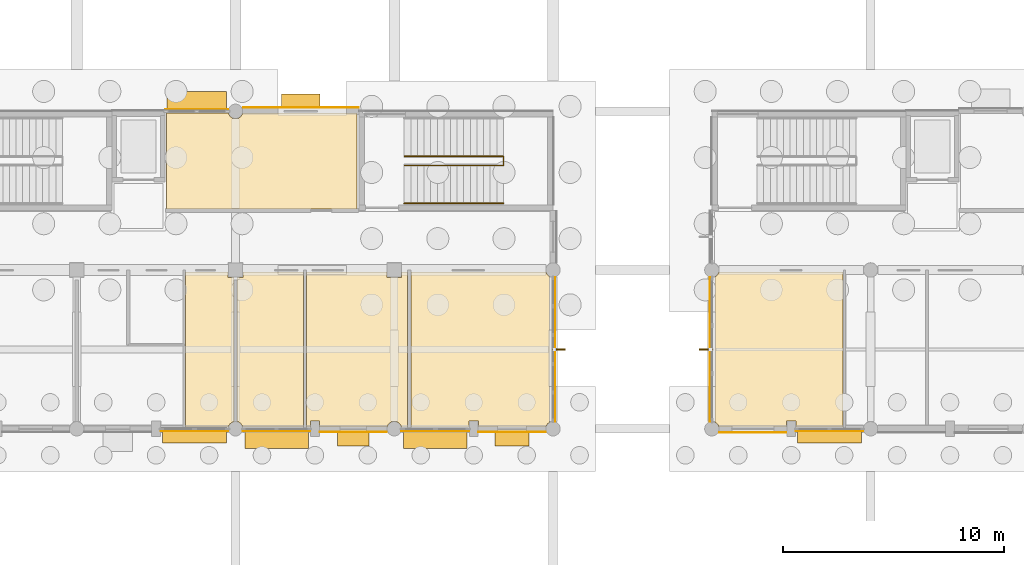
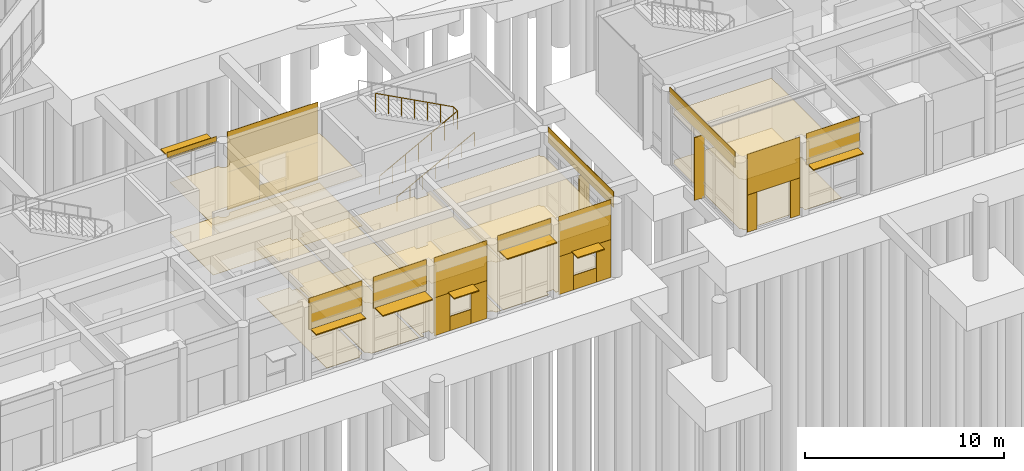
# One storey, part 82 of 103: 34 coverings, 10 shading devices, 2 railings.
"""IFC4 building model written with IfcOpenShell, lengths in metres."""

from ifc_helpers import new_model, si_unit, direction, frame, origin, origin_2d, place, context, subcontext, project, spatial, polyline, rectangle, circle, outline, extrude, material, layer, layer_set, type_object, element, save


model = new_model("IFC4")

# Units and contexts
model_context = context("Model", 3, precision=1e-05, world=origin(), true_north=direction((0.0, 1.0)))
body_context = subcontext(model_context, "Body", "Model", "MODEL_VIEW")
ifc_project = project(units=[si_unit("LENGTHUNIT", "METRE"), si_unit("AREAUNIT", "SQUARE_METRE"), si_unit("VOLUMEUNIT", "CUBIC_METRE"), si_unit("PLANEANGLEUNIT", "RADIAN"), si_unit("MASSUNIT", "GRAM", prefix="KILO")], contexts=[model_context])

# Site, building, storey
site_placement = place(None, origin())
site = spatial("IfcSite", under=ifc_project, at=site_placement, CompositionType="ELEMENT")
building_placement = place(site_placement, origin())
building = spatial("IfcBuilding", under=site, at=building_placement, Name="Namkhue Oval Health Centre", CompositionType="ELEMENT")
storey_placement = place(building_placement, origin())
storey = spatial("IfcBuildingStorey", under=building, at=storey_placement, Name="L00", CompositionType="ELEMENT", Elevation=0.0)

# Coverings
ifc_material_1 = material(Name="Acoustic mineral-fibre cleanroom ceiling", Category="gypsum")
ifc_layer_1 = layer(ifc_material_1, 0.02001953125)
ifc_layer_set_1 = layer_set([ifc_layer_1], Name="Acoustic mineral-fibre cleanroom ceiling")
covering_type_1 = type_object("IfcCoveringType", Name="ACOUSTIC CLEANROOM CEILING 20", PredefinedType="CEILING", material=ifc_layer_set_1)
covering_1_placement = place(storey_placement, frame((0.0, 0.0, 3.050048828125)))
element("IfcCovering", 1, at=covering_1_placement, inside=storey, type_object=covering_type_1, Name="Acoustic Ceiling L00-405 Emergency Staff Washroom", PredefinedType="CEILING", context=body_context, shape_type="SweptSolid", body=[
    extrude(outline(polyline([(69.739990234375, 14.485107421875), (69.739990234375, 21.52001953125), (71.6650390625, 21.52001953125), (71.6650390625, 21.264892578125), (71.929931640625, 21.264892578125), (71.929931640625, 14.725830078125), (71.913330078125, 14.7236328125), (71.83251953125, 14.690185546875), (71.76318359375, 14.636962890625), (71.7099609375, 14.5673828125), (71.67626953125, 14.485107421875), (69.739990234375, 14.485107421875)])), origin(), (0.0, 0.0, 1.0), 0.02001953125),
])
covering_2_placement = place(storey_placement, frame((0.0, 0.0, 3.050048828125)))
element("IfcCovering", 2, at=covering_2_placement, inside=storey, type_object=covering_type_1, Name="Acoustic Ceiling L00-406 Medical Gas Plant Room", PredefinedType="CEILING", context=body_context, shape_type="SweptSolid", body=[
    extrude(outline(polyline([(72.32373046875, 14.485107421875), (72.2900390625, 14.5673828125), (72.23681640625, 14.636962890625), (72.16748046875, 14.690185546875), (72.086669921875, 14.7236328125), (72.070068359375, 14.725830078125), (72.070068359375, 21.264892578125), (72.3349609375, 21.264892578125), (72.3349609375, 21.52001953125), (75.080078125, 21.52001953125), (75.080078125, 14.485107421875), (72.32373046875, 14.485107421875)])), origin(), (0.0, 0.0, 1.0), 0.02001953125),
])
covering_3_placement = place(storey_placement, frame((0.0, 0.0, 3.050048828125)))
element("IfcCovering", 3, at=covering_3_placement, inside=storey, type_object=covering_type_1, Name="Acoustic Ceiling L00-407 Acute Observation Ward", PredefinedType="CEILING", context=body_context, shape_type="SweptSolid", body=[
    extrude(outline(polyline([(79.523681640625, 14.485107421875), (79.489990234375, 14.5673828125), (79.43701171875, 14.636962890625), (79.367431640625, 14.690185546875), (79.28662109375, 14.7236328125), (79.199951171875, 14.735107421875), (79.11328125, 14.7236328125), (79.032470703125, 14.690185546875), (78.963134765625, 14.636962890625), (78.909912109375, 14.5673828125), (78.876220703125, 14.485107421875), (75.81005859375, 14.485107421875), (75.81005859375, 14.760009765625), (75.389892578125, 14.760009765625), (75.389892578125, 14.485107421875), (75.219970703125, 14.485107421875), (75.219970703125, 21.52001953125), (78.864990234375, 21.52001953125), (78.864990234375, 21.264892578125), (79.534912109375, 21.264892578125), (79.534912109375, 21.52001953125), (79.81005859375, 21.52001953125), (79.81005859375, 14.485107421875), (79.523681640625, 14.485107421875)])), origin(), (0.0, 0.0, 1.0), 0.02001953125),
])
covering_4_placement = place(storey_placement, frame((0.0, 0.0, 3.050048828125)))
element("IfcCovering", 4, at=covering_4_placement, inside=storey, type_object=covering_type_1, Name="Acoustic Ceiling L00-408 Emergency Resuscitation Bay", PredefinedType="CEILING", context=body_context, shape_type="SweptSolid", body=[
    extrude(outline(polyline([(83.010009765625, 14.485107421875), (83.010009765625, 14.760009765625), (82.590087890625, 14.760009765625), (82.590087890625, 14.485107421875), (79.949951171875, 14.485107421875), (79.949951171875, 21.52001953125), (86.075439453125, 21.52001953125), (86.10986328125, 21.4326171875), (86.1630859375, 21.363037109375), (86.232421875, 21.309814453125), (86.2451171875, 21.3046875), (86.2451171875, 14.6953125), (86.232421875, 14.690185546875), (86.1630859375, 14.636962890625), (86.10986328125, 14.5673828125), (86.076171875, 14.485107421875), (83.010009765625, 14.485107421875)])), origin(), (0.0, 0.0, 1.0), 0.02001953125),
])
covering_5_placement = place(storey_placement, frame((0.0, 0.0, 3.050048828125)))
element("IfcCovering", 5, at=covering_5_placement, inside=storey, type_object=covering_type_1, Name="Acoustic Ceiling L00-412 Rapid Diagnostics Point Care Lab", PredefinedType="CEILING", context=body_context, shape_type="SweptSolid", body=[
    extrude(outline(polyline([(68.8798828125, 24.3798828125), (68.8798828125, 28.715087890625), (71.67626953125, 28.715087890625), (71.7099609375, 28.632568359375), (71.76318359375, 28.56298828125), (71.83251953125, 28.510009765625), (71.913330078125, 28.476318359375), (72.0, 28.465087890625), (72.086669921875, 28.476318359375), (72.16748046875, 28.510009765625), (72.23681640625, 28.56298828125), (72.2900390625, 28.632568359375), (72.32373046875, 28.715087890625), (77.52001953125, 28.715087890625), (77.52001953125, 24.3798828125), (68.8798828125, 24.3798828125)])), origin(), (0.0, 0.0, 1.0), 0.02001953125),
])
covering_6_placement = place(storey_placement, frame((0.0, 0.0, 3.050048828125)))
element("IfcCovering", 6, at=covering_6_placement, inside=storey, type_object=covering_type_1, Name="Acoustic Ceiling L00-501 Dental Clinic Reception", PredefinedType="CEILING", context=body_context, shape_type="SweptSolid", body=[
    extrude(outline(polyline([(97.409912109375, 14.485107421875), (97.409912109375, 14.760009765625), (96.989990234375, 14.760009765625), (96.989990234375, 14.485107421875), (93.923828125, 14.485107421875), (93.89013671875, 14.5673828125), (93.8369140625, 14.636962890625), (93.767578125, 14.690185546875), (93.7548828125, 14.6953125), (93.7548828125, 21.3046875), (93.767578125, 21.309814453125), (93.8369140625, 21.363037109375), (93.89013671875, 21.4326171875), (93.924560546875, 21.52001953125), (99.547119140625, 21.52001953125), (99.547119140625, 14.485107421875), (97.409912109375, 14.485107421875)])), origin(), (0.0, 0.0, 1.0), 0.02001953125),
])
ifc_material_2 = material(Name="Homogeneous anti-bacterial clinical vinyl flooring", Category="plastic")
ifc_layer_2 = layer(ifc_material_2, 0.014892578125)
ifc_layer_set_2 = layer_set([ifc_layer_2], Name="Homogeneous anti-bacterial clinical vinyl flooring")
covering_type_2 = type_object("IfcCoveringType", Name="CLINICAL ANTIBACTERIAL VINYL FLOORING 15", PredefinedType="FLOORING", material=ifc_layer_set_2)
covering_7_placement = place(storey_placement, origin())
element("IfcCovering", 7, at=covering_7_placement, inside=storey, type_object=covering_type_2, Name="Clinical Flooring L00-405 Emergency Staff Washroom", PredefinedType="FLOORING", context=body_context, shape_type="SweptSolid", body=[
    extrude(outline(polyline([(69.739990234375, 14.485107421875), (69.739990234375, 21.52001953125), (71.6650390625, 21.52001953125), (71.6650390625, 21.264892578125), (71.929931640625, 21.264892578125), (71.929931640625, 14.725830078125), (71.913330078125, 14.7236328125), (71.83251953125, 14.690185546875), (71.76318359375, 14.636962890625), (71.7099609375, 14.5673828125), (71.67626953125, 14.485107421875), (69.739990234375, 14.485107421875)])), origin(), (0.0, 0.0, 1.0), 0.014892578125),
])
covering_8_placement = place(storey_placement, origin())
element("IfcCovering", 8, at=covering_8_placement, inside=storey, type_object=covering_type_2, Name="Clinical Flooring L00-406 Medical Gas Plant Room", PredefinedType="FLOORING", context=body_context, shape_type="SweptSolid", body=[
    extrude(outline(polyline([(72.32373046875, 14.485107421875), (72.2900390625, 14.5673828125), (72.23681640625, 14.636962890625), (72.16748046875, 14.690185546875), (72.086669921875, 14.7236328125), (72.070068359375, 14.725830078125), (72.070068359375, 21.264892578125), (72.3349609375, 21.264892578125), (72.3349609375, 21.52001953125), (75.080078125, 21.52001953125), (75.080078125, 14.485107421875), (72.32373046875, 14.485107421875)])), origin(), (0.0, 0.0, 1.0), 0.014892578125),
])
covering_9_placement = place(storey_placement, origin())
element("IfcCovering", 9, at=covering_9_placement, inside=storey, type_object=covering_type_2, Name="Clinical Flooring L00-407 Acute Observation Ward", PredefinedType="FLOORING", context=body_context, shape_type="SweptSolid", body=[
    extrude(outline(polyline([(79.523681640625, 14.485107421875), (79.489990234375, 14.5673828125), (79.43701171875, 14.636962890625), (79.367431640625, 14.690185546875), (79.28662109375, 14.7236328125), (79.199951171875, 14.735107421875), (79.11328125, 14.7236328125), (79.032470703125, 14.690185546875), (78.963134765625, 14.636962890625), (78.909912109375, 14.5673828125), (78.876220703125, 14.485107421875), (75.81005859375, 14.485107421875), (75.81005859375, 14.760009765625), (75.389892578125, 14.760009765625), (75.389892578125, 14.485107421875), (75.219970703125, 14.485107421875), (75.219970703125, 21.52001953125), (78.864990234375, 21.52001953125), (78.864990234375, 21.264892578125), (79.534912109375, 21.264892578125), (79.534912109375, 21.52001953125), (79.81005859375, 21.52001953125), (79.81005859375, 14.485107421875), (79.523681640625, 14.485107421875)])), origin(), (0.0, 0.0, 1.0), 0.014892578125),
])
covering_10_placement = place(storey_placement, origin())
element("IfcCovering", 10, at=covering_10_placement, inside=storey, type_object=covering_type_2, Name="Clinical Flooring L00-408 Emergency Resuscitation Bay", PredefinedType="FLOORING", context=body_context, shape_type="SweptSolid", body=[
    extrude(outline(polyline([(83.010009765625, 14.485107421875), (83.010009765625, 14.760009765625), (82.590087890625, 14.760009765625), (82.590087890625, 14.485107421875), (79.949951171875, 14.485107421875), (79.949951171875, 21.52001953125), (86.075439453125, 21.52001953125), (86.10986328125, 21.4326171875), (86.1630859375, 21.363037109375), (86.232421875, 21.309814453125), (86.2451171875, 21.3046875), (86.2451171875, 14.6953125), (86.232421875, 14.690185546875), (86.1630859375, 14.636962890625), (86.10986328125, 14.5673828125), (86.076171875, 14.485107421875), (83.010009765625, 14.485107421875)])), origin(), (0.0, 0.0, 1.0), 0.014892578125),
])
covering_11_placement = place(storey_placement, origin())
element("IfcCovering", 11, at=covering_11_placement, inside=storey, type_object=covering_type_2, Name="Clinical Flooring L00-412 Rapid Diagnostics Point Care Lab", PredefinedType="FLOORING", context=body_context, shape_type="SweptSolid", body=[
    extrude(outline(polyline([(68.8798828125, 24.3798828125), (68.8798828125, 28.715087890625), (71.67626953125, 28.715087890625), (71.7099609375, 28.632568359375), (71.76318359375, 28.56298828125), (71.83251953125, 28.510009765625), (71.913330078125, 28.476318359375), (72.0, 28.465087890625), (72.086669921875, 28.476318359375), (72.16748046875, 28.510009765625), (72.23681640625, 28.56298828125), (72.2900390625, 28.632568359375), (72.32373046875, 28.715087890625), (77.52001953125, 28.715087890625), (77.52001953125, 24.3798828125), (68.8798828125, 24.3798828125)])), origin(), (0.0, 0.0, 1.0), 0.014892578125),
])
covering_12_placement = place(storey_placement, origin())
element("IfcCovering", 12, at=covering_12_placement, inside=storey, type_object=covering_type_2, Name="Clinical Flooring L00-501 Dental Clinic Reception", PredefinedType="FLOORING", context=body_context, shape_type="SweptSolid", body=[
    extrude(outline(polyline([(97.409912109375, 14.485107421875), (97.409912109375, 14.760009765625), (96.989990234375, 14.760009765625), (96.989990234375, 14.485107421875), (93.923828125, 14.485107421875), (93.89013671875, 14.5673828125), (93.8369140625, 14.636962890625), (93.767578125, 14.690185546875), (93.7548828125, 14.6953125), (93.7548828125, 21.3046875), (93.767578125, 21.309814453125), (93.8369140625, 21.363037109375), (93.89013671875, 21.4326171875), (93.924560546875, 21.52001953125), (99.547119140625, 21.52001953125), (99.547119140625, 14.485107421875), (97.409912109375, 14.485107421875)])), origin(), (0.0, 0.0, 1.0), 0.014892578125),
])

# Railings
ifc_material_3 = material(Name="Brushed stainless steel 316L balustrade with laminated glass infill", Category="steel")
railing_type_1 = type_object("IfcRailingType", Name="INTERIOR BALUSTRADE GUARD 1150", PredefinedType="BALUSTRADE", material=ifc_material_3)
railing_1_placement = place(storey_placement, frame((79.64990234375, 26.340087890625, 0.0)))
element("IfcRailing", 13, at=railing_1_placement, inside=storey, type_object=railing_type_1, Name="Stair ST-08 L00 Inner Well Guard", PredefinedType="BALUSTRADE", context=body_context, shape_type="SweptSolid", body=[
    extrude(circle(Radius=0.02392578125, at=origin_2d()), frame((0.0, 0.0, 1.1259765625), z_axis=(0.882360891967, 0.0, 0.470573327259), x_axis=(0.0, 1.0, 0.0)), (0.0, 0.0, 1.0), 5.099853515625),
    extrude(circle(Radius=0.02392578125, at=origin_2d()), frame((4.5, 0.0, 3.52587890625), z_axis=(0.0, 1.0, 0.0), x_axis=(-1.0, 0.0, 0.0)), (0.0, 0.0, 1.0), 0.419921875),
    extrude(circle(Radius=0.02392578125, at=origin_2d()), frame((4.5, 0.419921875, 3.52587890625), z_axis=(-0.882341014787, 0.0, 0.470610596591), x_axis=(0.0, -1.0, 0.0)), (0.0, 0.0, 1.0), 5.10009765625),
    extrude(circle(Radius=0.02099609375, at=origin_2d()), origin(), (0.0, 0.0, 1.0), 1.101806640625),
    extrude(circle(Radius=0.02099609375, at=origin_2d()), frame((0.75, 0.0, 0.39990234375)), (0.0, 0.0, 1.0), 1.101806640625),
    extrude(circle(Radius=0.02099609375, at=origin_2d()), frame((1.5, 0.0, 0.800048828125)), (0.0, 0.0, 1.0), 1.101806640625),
    extrude(circle(Radius=0.02099609375, at=origin_2d()), frame((2.25, 0.0, 1.199951171875)), (0.0, 0.0, 1.0), 1.101806640625),
    extrude(circle(Radius=0.02099609375, at=origin_2d()), frame((3.0, 0.0, 1.599853515625)), (0.0, 0.0, 1.0), 1.101806640625),
    extrude(circle(Radius=0.02099609375, at=origin_2d()), frame((3.75, 0.0, 2.0)), (0.0, 0.0, 1.0), 1.101806640625),
    extrude(circle(Radius=0.02099609375, at=origin_2d()), frame((4.5, 0.0, 2.39990234375)), (0.0, 0.0, 1.0), 1.101806640625),
    extrude(circle(Radius=0.02099609375, at=origin_2d()), frame((4.5, 0.419921875, 2.39990234375)), (0.0, 0.0, 1.0), 1.101806640625),
    extrude(circle(Radius=0.02099609375, at=origin_2d()), frame((3.75, 0.419921875, 2.7998046875)), (0.0, 0.0, 1.0), 1.101806640625),
    extrude(circle(Radius=0.02099609375, at=origin_2d()), frame((3.0, 0.419921875, 3.199951171875)), (0.0, 0.0, 1.0), 1.101806640625),
    extrude(circle(Radius=0.02099609375, at=origin_2d()), frame((2.25, 0.419921875, 3.60009765625)), (0.0, 0.0, 1.0), 1.101806640625),
    extrude(circle(Radius=0.02099609375, at=origin_2d()), frame((1.5, 0.419921875, 4.0)), (0.0, 0.0, 1.0), 1.101806640625),
    extrude(circle(Radius=0.02099609375, at=origin_2d()), frame((0.75, 0.419921875, 4.39990234375)), (0.0, 0.0, 1.0), 1.101806640625),
    extrude(circle(Radius=0.02099609375, at=origin_2d()), frame((0.0, 0.419921875, 4.800048828125)), (0.0, 0.0, 1.0), 1.101806640625),
])
ifc_material_4 = material(Name="Brushed stainless steel 304 tubular handrail", Category="steel")
railing_type_2 = type_object("IfcRailingType", Name="INTERIOR STAIR HANDRAIL 900", PredefinedType="HANDRAIL", material=ifc_material_4)
railing_2_placement = place(storey_placement, frame((79.64990234375, 24.6201171875, 0.0)))
element("IfcRailing", 14, at=railing_2_placement, inside=storey, type_object=railing_type_2, Name="Stair ST-08 L00 Flight 1 Handrail", PredefinedType="HANDRAIL", context=body_context, shape_type="SweptSolid", body=[
    extrude(circle(Radius=0.02392578125, at=origin_2d()), frame((0.0, 0.0, 0.8759765625), z_axis=(0.882360891967, 0.0, 0.470573327259), x_axis=(0.0, 1.0, 0.0)), (0.0, 0.0, 1.0), 5.099853515625),
    extrude(circle(Radius=0.02099609375, at=origin_2d()), origin(), (0.0, 0.0, 1.0), 0.851806640625),
    extrude(circle(Radius=0.02099609375, at=origin_2d()), frame((0.75, 0.0, 0.39990234375)), (0.0, 0.0, 1.0), 0.851806640625),
    extrude(circle(Radius=0.02099609375, at=origin_2d()), frame((1.5, 0.0, 0.800048828125)), (0.0, 0.0, 1.0), 0.851806640625),
    extrude(circle(Radius=0.02099609375, at=origin_2d()), frame((2.25, 0.0, 1.199951171875)), (0.0, 0.0, 1.0), 0.851806640625),
    extrude(circle(Radius=0.02099609375, at=origin_2d()), frame((3.0, 0.0, 1.599853515625)), (0.0, 0.0, 1.0), 0.851806640625),
    extrude(circle(Radius=0.02099609375, at=origin_2d()), frame((3.75, 0.0, 2.0)), (0.0, 0.0, 1.0), 0.851806640625),
    extrude(circle(Radius=0.02099609375, at=origin_2d()), frame((4.5, 0.0, 2.39990234375)), (0.0, 0.0, 1.0), 0.851806640625),
])

# Shading devices
ifc_material_5 = material(Name="Anodised aluminium EN AW-6063 T6", Category="aluminium")
ifc_layer_3 = layer(ifc_material_5, 0.06005859375)
ifc_layer_set_3 = layer_set([ifc_layer_3], Name="Anodised aluminium EN AW-6063 T6")
shading_device_type_1 = type_object("IfcShadingDeviceType", Name="MONSOON SUN LOUVRE 900", PredefinedType="JALOUSIE", material=ifc_layer_set_3)
for number, where, z_axis, x_axis, name in (
    (15, (73.862060546875, 13.949951171875, 2.830078125), (0.0, 0.0, 1.0), (1.0, 0.0, 0.0), "Volume V4 L00 Horizontal Monsoon Sun Louvre 182"),
    (16, (81.06201171875, 13.949951171875, 3.7900390625), (0.0, 0.0, 1.0), (1.0, 0.0, 0.0), "Volume V4 L00 Horizontal Monsoon Sun Louvre 184"),
):
    element("IfcShadingDevice", number, at=place(storey_placement, frame(where, z_axis=z_axis, x_axis=x_axis)), inside=storey, type_object=shading_device_type_1, Name=name, PredefinedType="JALOUSIE", context=body_context, shape_type="SweptSolid", body=[
        extrude(rectangle(XDim=2.884033203125, YDim=0.89990234375, at=origin_2d()), origin(), (0.0, 0.0, 1.0), 0.06005859375),
    ])
shading_device_1_placement = place(storey_placement, frame((70.240966796875, 29.25, 4.43994140625), z_axis=(0.0, 0.0, 1.0), x_axis=(-1.0, 0.0, 0.0)))
element("IfcShadingDevice", 17, at=shading_device_1_placement, inside=storey, type_object=shading_device_type_1, Name="Volume V4 L00 Horizontal Monsoon Sun Louvre 188", PredefinedType="JALOUSIE", context=body_context, shape_type="SweptSolid", body=[
    extrude(rectangle(XDim=2.677978515625, YDim=0.89990234375, at=origin_2d()), origin(), (0.0, 0.0, 1.0), 0.06005859375),
])
ifc_layer_4 = layer(ifc_material_5, 0.050048828125)
ifc_layer_set_4 = layer_set([ifc_layer_4], Name="Anodised aluminium EN AW-6063 T6")
shading_device_type_2 = type_object("IfcShadingDeviceType", Name="STORM SHUTTER LOUVRE 650", PredefinedType="SHUTTER", material=ifc_layer_set_4)
shading_device_2_placement = place(storey_placement, frame((70.137939453125, 14.074951171875, 2.830078125), z_axis=(0.0, 0.0, 1.0), x_axis=(1.0, 0.0, 0.0)))
element("IfcShadingDevice", 18, at=shading_device_2_placement, inside=storey, type_object=shading_device_type_2, Name="Volume V4 L00 Horizontal Monsoon Sun Louvre 181", PredefinedType="SHUTTER", context=body_context, shape_type="SweptSolid", body=[
    extrude(rectangle(XDim=2.884033203125, YDim=0.64990234375, at=origin_2d()), origin(), (0.0, 0.0, 1.0), 0.06005859375),
])
shading_device_3_placement = place(storey_placement, frame((77.337890625, 13.949951171875, 2.340087890625), z_axis=(0.0, 0.0, 1.0), x_axis=(1.0, 0.0, 0.0)))
element("IfcShadingDevice", 19, at=shading_device_3_placement, inside=storey, type_object=shading_device_type_2, Name="Volume V4 L00 Window Monsoon Louvre 183", PredefinedType="SHUTTER", context=body_context, shape_type="SweptSolid", body=[
    extrude(rectangle(XDim=1.43994140625, YDim=0.64990234375, at=origin_2d()), origin(), (0.0, 0.0, 1.0), 0.06005859375),
])
shading_device_4_placement = place(storey_placement, frame((84.5380859375, 13.945068359375, 2.340087890625), z_axis=(0.0, 0.0, 1.0), x_axis=(1.0, 0.0, 0.0)))
element("IfcShadingDevice", 20, at=shading_device_4_placement, inside=storey, type_object=shading_device_type_2, Name="Volume V4 L00 Window Monsoon Louvre 185", PredefinedType="SHUTTER", context=body_context, shape_type="SweptSolid", body=[
    extrude(rectangle(XDim=1.5400390625, YDim=0.64990234375, at=origin_2d()), origin(), (0.0, 0.0, 1.0), 0.06005859375),
])
shading_device_5_placement = place(storey_placement, frame((74.958984375, 29.264892578125, 2.340087890625), z_axis=(0.0, 0.0, 1.0), x_axis=(-1.0, 0.0, 0.0)))
element("IfcShadingDevice", 21, at=shading_device_5_placement, inside=storey, type_object=shading_device_type_2, Name="Volume V4 L00 Window Monsoon Louvre 187", PredefinedType="SHUTTER", context=body_context, shape_type="SweptSolid", body=[
    extrude(rectangle(XDim=1.739990234375, YDim=0.64990234375, at=origin_2d()), origin(), (0.0, 0.0, 1.0), 0.06005859375),
])
shading_device_6_placement = place(storey_placement, frame((98.93798828125, 14.074951171875, 2.830078125), z_axis=(0.0, 0.0, 1.0), x_axis=(1.0, 0.0, 0.0)))
element("IfcShadingDevice", 22, at=shading_device_6_placement, inside=storey, type_object=shading_device_type_2, Name="Volume V5 L00 Horizontal Monsoon Sun Louvre 237", PredefinedType="SHUTTER", context=body_context, shape_type="SweptSolid", body=[
    extrude(rectangle(XDim=2.884033203125, YDim=0.64990234375, at=origin_2d()), origin(), (0.0, 0.0, 1.0), 0.06005859375),
])
shading_device_type_3 = type_object("IfcShadingDeviceType", Name="VERTICAL SOLAR FIN 600", PredefinedType="USERDEFINED", material=ifc_material_5)
shading_device_7_placement = place(storey_placement, frame((86.659912109375, 18.0, 0.0), z_axis=(0.0, 0.0, 1.0), x_axis=(1.0, 0.0, 0.0)))
element("IfcShadingDevice", 23, at=shading_device_7_placement, inside=storey, type_object=shading_device_type_3, Name="Volume V4 L00 Extruded Aluminium Solar Fin 186", ObjectType="SOLAR FIN", PredefinedType="USERDEFINED", context=body_context, shape_type="SweptSolid", body=[
    extrude(rectangle(XDim=0.60009765625, YDim=0.06005859375, at=origin_2d()), origin(), (0.0, 0.0, 1.0), 3.860107421875),
])
shading_device_8_placement = place(storey_placement, frame((93.340087890625, 18.0, 0.0), z_axis=(0.0, 0.0, 1.0), x_axis=(-1.0, 0.0, 0.0)))
element("IfcShadingDevice", 24, at=shading_device_8_placement, inside=storey, type_object=shading_device_type_3, Name="Volume V5 L00 Extruded Aluminium Solar Fin 250", ObjectType="SOLAR FIN", PredefinedType="USERDEFINED", context=body_context, shape_type="SweptSolid", body=[
    extrude(rectangle(XDim=0.60009765625, YDim=0.06005859375, at=origin_2d()), origin(), (0.0, 0.0, 1.0), 3.844970703125),
])

# Coverings
ifc_material_6 = material(Name="White glass-fibre reinforced concrete GRC rainscreen cladding", Category="concrete")
ifc_layer_5 = layer(ifc_material_6, 0.02490234375)
ifc_layer_set_5 = layer_set([ifc_layer_5], Name="White glass-fibre reinforced concrete GRC rainscreen cladding")
covering_type_3 = type_object("IfcCoveringType", Name="WHITE GRC RAINSCREEN CLADDING 25", PredefinedType="CLADDING", material=ifc_layer_set_5)
for number, where, z_axis, x_axis, name in (
    (25, (70.137939453125, 14.3115234375, 2.885009765625), (0.0, 0.0, 1.0), (1.0, 0.0, 0.0), "Volume V4 L00 Curtain Wall Spandrel Cladding 136"),
    (26, (73.862060546875, 14.3115234375, 2.885009765625), (0.0, 0.0, 1.0), (1.0, 0.0, 0.0), "Volume V4 L00 Curtain Wall Spandrel Cladding 137"),
):
    element("IfcCovering", number, at=place(storey_placement, frame(where, z_axis=z_axis, x_axis=x_axis)), inside=storey, type_object=covering_type_3, Name=name, PredefinedType="CLADDING", context=body_context, shape_type="SweptSolid", body=[
        extrude(rectangle(XDim=3.073974609375, YDim=0.02490234375, at=origin_2d()), origin(), (0.0, 0.0, 1.0), 1.9150390625),
    ])
covering_13_placement = place(storey_placement, frame((77.337890625, 14.2529296875, 2.3349609375), z_axis=(0.0, 0.0, 1.0), x_axis=(1.0, 0.0, 0.0)))
element("IfcCovering", 27, at=covering_13_placement, inside=storey, type_object=covering_type_3, Name="Volume V4 L00 Facade 90 White GRC Cladding 1", PredefinedType="CLADDING", context=body_context, shape_type="SweptSolid", body=[
    extrude(rectangle(XDim=3.0439453125, YDim=0.02490234375, at=origin_2d()), origin(), (0.0, 0.0, 1.0), 2.455078125),
])
covering_14_placement = place(storey_placement, frame((76.26953125, 14.2529296875, 0.009765625), z_axis=(0.0, 0.0, 1.0), x_axis=(1.0, 0.0, 0.0)))
element("IfcCovering", 28, at=covering_14_placement, inside=storey, type_object=covering_type_3, Name="Volume V4 L00 Facade 90 White GRC Cladding 2", PredefinedType="CLADDING", context=body_context, shape_type="SweptSolid", body=[
    extrude(rectangle(XDim=0.906982421875, YDim=0.02490234375, at=origin_2d()), origin(), (0.0, 0.0, 1.0), 2.320068359375),
])
covering_15_placement = place(storey_placement, frame((77.337890625, 14.2529296875, 0.010009765625), z_axis=(0.0, 0.0, 1.0), x_axis=(1.0, 0.0, 0.0)))
element("IfcCovering", 29, at=covering_15_placement, inside=storey, type_object=covering_type_3, Name="Volume V4 L00 Facade 90 White GRC Cladding 3", PredefinedType="CLADDING", context=body_context, shape_type="SweptSolid", body=[
    extrude(rectangle(XDim=1.219970703125, YDim=0.02490234375, at=origin_2d()), origin(), (0.0, 0.0, 1.0), 0.875),
])
covering_16_placement = place(storey_placement, frame((78.406494140625, 14.2529296875, 0.009765625), z_axis=(0.0, 0.0, 1.0), x_axis=(1.0, 0.0, 0.0)))
element("IfcCovering", 30, at=covering_16_placement, inside=storey, type_object=covering_type_3, Name="Volume V4 L00 Facade 90 White GRC Cladding 4", PredefinedType="CLADDING", context=body_context, shape_type="SweptSolid", body=[
    extrude(rectangle(XDim=0.906982421875, YDim=0.02490234375, at=origin_2d()), origin(), (0.0, 0.0, 1.0), 2.320068359375),
])
covering_17_placement = place(storey_placement, frame((81.06201171875, 14.3115234375, 3.844970703125), z_axis=(0.0, 0.0, 1.0), x_axis=(1.0, 0.0, 0.0)))
element("IfcCovering", 31, at=covering_17_placement, inside=storey, type_object=covering_type_3, Name="Volume V4 L00 Curtain Wall Spandrel Cladding 138", PredefinedType="CLADDING", context=body_context, shape_type="SweptSolid", body=[
    extrude(rectangle(XDim=3.073974609375, YDim=0.02490234375, at=origin_2d()), origin(), (0.0, 0.0, 1.0), 0.955078125),
])
covering_18_placement = place(storey_placement, frame((84.5380859375, 14.248046875, 2.3349609375), z_axis=(0.0, 0.0, 1.0), x_axis=(1.0, 0.0, 0.0)))
element("IfcCovering", 32, at=covering_18_placement, inside=storey, type_object=covering_type_3, Name="Volume V4 L00 Facade 91 White GRC Cladding 1", PredefinedType="CLADDING", context=body_context, shape_type="SweptSolid", body=[
    extrude(rectangle(XDim=3.0439453125, YDim=0.02490234375, at=origin_2d()), origin(), (0.0, 0.0, 1.0), 2.455078125),
])
covering_19_placement = place(storey_placement, frame((83.444580078125, 14.248046875, 0.009765625), z_axis=(0.0, 0.0, 1.0), x_axis=(1.0, 0.0, 0.0)))
element("IfcCovering", 33, at=covering_19_placement, inside=storey, type_object=covering_type_3, Name="Volume V4 L00 Facade 91 White GRC Cladding 2", PredefinedType="CLADDING", context=body_context, shape_type="SweptSolid", body=[
    extrude(rectangle(XDim=0.85693359375, YDim=0.02490234375, at=origin_2d()), origin(), (0.0, 0.0, 1.0), 2.320068359375),
])
covering_20_placement = place(storey_placement, frame((84.5380859375, 14.248046875, 0.010009765625), z_axis=(0.0, 0.0, 1.0), x_axis=(1.0, 0.0, 0.0)))
element("IfcCovering", 34, at=covering_20_placement, inside=storey, type_object=covering_type_3, Name="Volume V4 L00 Facade 91 White GRC Cladding 3", PredefinedType="CLADDING", context=body_context, shape_type="SweptSolid", body=[
    extrude(rectangle(XDim=1.320068359375, YDim=0.02490234375, at=origin_2d()), origin(), (0.0, 0.0, 1.0), 0.875),
])
covering_21_placement = place(storey_placement, frame((85.631591796875, 14.248046875, 0.009765625), z_axis=(0.0, 0.0, 1.0), x_axis=(1.0, 0.0, 0.0)))
element("IfcCovering", 35, at=covering_21_placement, inside=storey, type_object=covering_type_3, Name="Volume V4 L00 Facade 91 White GRC Cladding 4", PredefinedType="CLADDING", context=body_context, shape_type="SweptSolid", body=[
    extrude(rectangle(XDim=0.85693359375, YDim=0.02490234375, at=origin_2d()), origin(), (0.0, 0.0, 1.0), 2.320068359375),
])
covering_22_placement = place(storey_placement, frame((86.488525390625, 18.0, 3.844970703125), z_axis=(0.0, 0.0, 1.0), x_axis=(0.0, 1.0, 0.0)))
element("IfcCovering", 36, at=covering_22_placement, inside=storey, type_object=covering_type_3, Name="Volume V4 L00 Curtain Wall Spandrel Cladding 139", PredefinedType="CLADDING", context=body_context, shape_type="SweptSolid", body=[
    extrude(rectangle(XDim=6.550048828125, YDim=0.02490234375, at=origin_2d()), origin(), (0.0, 0.0, 1.0), 0.955078125),
])
covering_23_placement = place(storey_placement, frame((74.958984375, 28.9619140625, 2.3349609375), z_axis=(0.0, 0.0, 1.0), x_axis=(-1.0, 0.0, 0.0)))
element("IfcCovering", 37, at=covering_23_placement, inside=storey, type_object=covering_type_3, Name="Volume V4 L00 Facade 93 White GRC Cladding 1", PredefinedType="CLADDING", context=body_context, shape_type="SweptSolid", body=[
    extrude(rectangle(XDim=5.238037109375, YDim=0.02490234375, at=origin_2d()), origin(), (0.0, 0.0, 1.0), 2.455078125),
])
covering_24_placement = place(storey_placement, frame((76.65087890625, 28.9619140625, 0.009765625), z_axis=(0.0, 0.0, 1.0), x_axis=(-1.0, 0.0, 0.0)))
element("IfcCovering", 38, at=covering_24_placement, inside=storey, type_object=covering_type_3, Name="Volume V4 L00 Facade 93 White GRC Cladding 2", PredefinedType="CLADDING", context=body_context, shape_type="SweptSolid", body=[
    extrude(rectangle(XDim=1.85400390625, YDim=0.02490234375, at=origin_2d()), origin(), (0.0, 0.0, 1.0), 2.320068359375),
])
covering_25_placement = place(storey_placement, frame((74.958984375, 28.9619140625, 0.010009765625), z_axis=(0.0, 0.0, 1.0), x_axis=(-1.0, 0.0, 0.0)))
element("IfcCovering", 39, at=covering_25_placement, inside=storey, type_object=covering_type_3, Name="Volume V4 L00 Facade 93 White GRC Cladding 3", PredefinedType="CLADDING", context=body_context, shape_type="SweptSolid", body=[
    extrude(rectangle(XDim=1.52001953125, YDim=0.02490234375, at=origin_2d()), origin(), (0.0, 0.0, 1.0), 0.875),
])
covering_26_placement = place(storey_placement, frame((73.26708984375, 28.9619140625, 0.009765625), z_axis=(0.0, 0.0, 1.0), x_axis=(-1.0, 0.0, 0.0)))
element("IfcCovering", 40, at=covering_26_placement, inside=storey, type_object=covering_type_3, Name="Volume V4 L00 Facade 93 White GRC Cladding 4", PredefinedType="CLADDING", context=body_context, shape_type="SweptSolid", body=[
    extrude(rectangle(XDim=1.85400390625, YDim=0.02490234375, at=origin_2d()), origin(), (0.0, 0.0, 1.0), 2.320068359375),
])
covering_27_placement = place(storey_placement, frame((70.240966796875, 28.888427734375, 4.4951171875), z_axis=(0.0, 0.0, 1.0), x_axis=(-1.0, 0.0, 0.0)))
element("IfcCovering", 41, at=covering_27_placement, inside=storey, type_object=covering_type_3, Name="Volume V4 L00 Curtain Wall Spandrel Cladding 140", PredefinedType="CLADDING", context=body_context, shape_type="SweptSolid", body=[
    extrude(rectangle(XDim=2.867919921875, YDim=0.02490234375, at=origin_2d()), origin(), (0.0, 0.0, 1.0), 0.304931640625),
])
covering_28_placement = place(storey_placement, frame((95.4619140625, 14.23291015625, 2.294921875), z_axis=(0.0, 0.0, 1.0), x_axis=(1.0, 0.0, 0.0)))
element("IfcCovering", 42, at=covering_28_placement, inside=storey, type_object=covering_type_3, Name="Volume V5 L00 Facade 110 White GRC Cladding 1", PredefinedType="CLADDING", context=body_context, shape_type="SweptSolid", body=[
    extrude(rectangle(XDim=3.0439453125, YDim=0.02490234375, at=origin_2d()), origin(), (0.0, 0.0, 1.0), 2.4951171875),
])
for number, where, z_axis, x_axis, name in (
    (43, (94.218505859375, 14.23291015625, 0.009765625), (0.0, 0.0, 1.0), (1.0, 0.0, 0.0), "Volume V5 L00 Facade 110 White GRC Cladding 2"),
    (44, (96.70556640625, 14.23291015625, 0.009765625), (0.0, 0.0, 1.0), (1.0, 0.0, 0.0), "Volume V5 L00 Facade 110 White GRC Cladding 3"),
):
    element("IfcCovering", number, at=place(storey_placement, frame(where, z_axis=z_axis, x_axis=x_axis)), inside=storey, type_object=covering_type_3, Name=name, PredefinedType="CLADDING", context=body_context, shape_type="SweptSolid", body=[
        extrude(rectangle(XDim=0.556884765625, YDim=0.02490234375, at=origin_2d()), origin(), (0.0, 0.0, 1.0), 2.280029296875),
    ])
covering_29_placement = place(storey_placement, frame((98.93798828125, 14.3115234375, 2.885009765625), z_axis=(0.0, 0.0, 1.0), x_axis=(1.0, 0.0, 0.0)))
element("IfcCovering", 45, at=covering_29_placement, inside=storey, type_object=covering_type_3, Name="Volume V5 L00 Curtain Wall Spandrel Cladding 177", PredefinedType="CLADDING", context=body_context, shape_type="SweptSolid", body=[
    extrude(rectangle(XDim=3.073974609375, YDim=0.02490234375, at=origin_2d()), origin(), (0.0, 0.0, 1.0), 1.9150390625),
])
covering_30_placement = place(storey_placement, frame((93.511474609375, 18.0, 3.830078125), z_axis=(0.0, 0.0, 1.0), x_axis=(0.0, -1.0, 0.0)))
element("IfcCovering", 46, at=covering_30_placement, inside=storey, type_object=covering_type_3, Name="Volume V5 L00 Curtain Wall Spandrel Cladding 186", PredefinedType="CLADDING", context=body_context, shape_type="SweptSolid", body=[
    extrude(rectangle(XDim=6.550048828125, YDim=0.02490234375, at=origin_2d()), origin(), (0.0, 0.0, 1.0), 0.969970703125),
])

save(model, "model.ifc")
